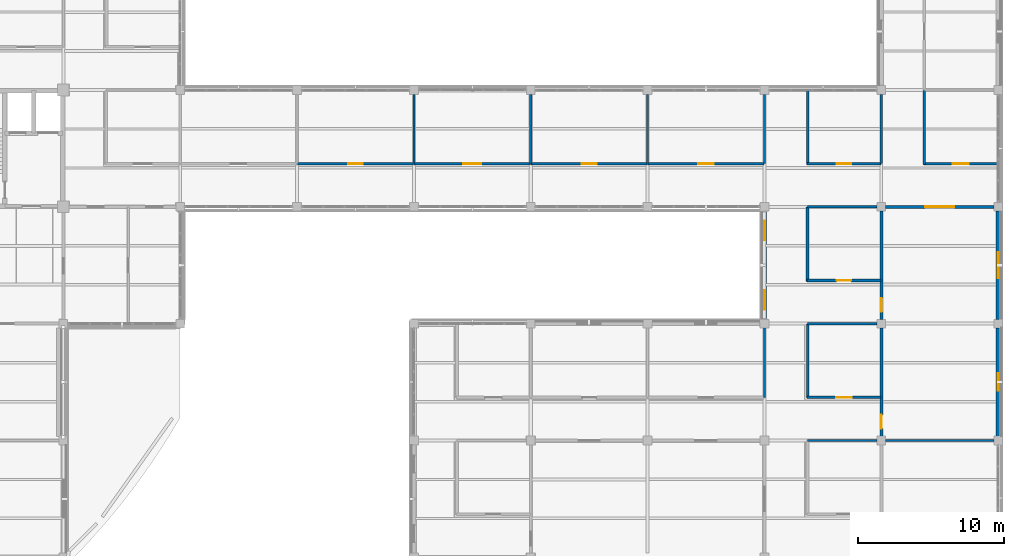
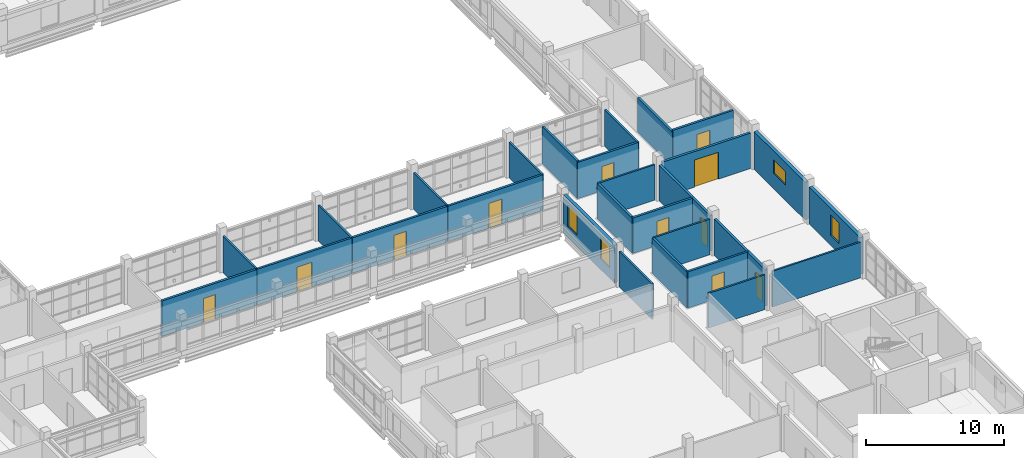
# One storey, part 101 of 126: 28 walls, 11 doors, 4 windows, 15 openings.
"""IFC4 building model written with IfcOpenShell, lengths in metres."""

from ifc_helpers import new_model, si_unit, derived_unit, direction, frame, frame_2d, origin, place, context, subcontext, project, spatial, rectangle, extrude, material, layer, layer_set, type_object, element, fill, save


model = new_model("IFC4")

# Units and contexts
model_context = context("Model", 3, precision=1e-05, world=origin(), true_north=direction((0.0, 1.0)))
body_context = subcontext(model_context, "Body", "Model", "MODEL_VIEW")
ifc_project = project(units=[si_unit("LENGTHUNIT", "METRE"), si_unit("AREAUNIT", "SQUARE_METRE"), si_unit("VOLUMEUNIT", "CUBIC_METRE"), si_unit("PLANEANGLEUNIT", "RADIAN"), si_unit("MASSUNIT", "GRAM", prefix="KILO"), derived_unit("THERMALTRANSMITTANCEUNIT", [(si_unit("MASSUNIT", "GRAM", prefix="KILO"), 1), (si_unit("TIMEUNIT", "SECOND"), -3), (si_unit("THERMODYNAMICTEMPERATUREUNIT", "KELVIN"), -1)])], contexts=[model_context])

# Site, building, storey
site_placement = place(None, origin())
site = spatial("IfcSite", under=ifc_project, at=site_placement, CompositionType="ELEMENT")
building_placement = place(site_placement, origin())
building = spatial("IfcBuilding", under=site, at=building_placement, Name="Veyamyaing Civic Hall", CompositionType="ELEMENT")
storey_placement = place(building_placement, frame((0.0, 0.0, 9.89990234375)))
storey = spatial("IfcBuildingStorey", under=building, at=storey_placement, Name="L02", CompositionType="ELEMENT", Elevation=9.89990234375)

# Wall, openings, windows
ifc_material_1 = material(Name="Precast concrete C40/50", Category="concrete")
ifc_layer_1 = layer(ifc_material_1, 0.280029296875, Name="Precast concrete C40/50")
ifc_layer_set_1 = layer_set([ifc_layer_1], Name="Precast concrete C40/50")
wall_type_1 = type_object("IfcWallType", Name="WT-04", PredefinedType="SOLIDWALL", material=ifc_layer_set_1)
wall_1_placement = place(storey_placement, frame((160.0, 40.284912109375, 0.0), z_axis=(0.0, 0.0, 1.0), x_axis=(0.0, 1.0, 0.0)))
wall_1 = element("IfcWall", 1, at=wall_1_placement, inside=storey, type_object=wall_type_1, Name="Exterior facade wall WT-04 L02 W 21.6", PredefinedType="SOLIDWALL", context=body_context, shape_type="SweptSolid", body=[
    extrude(rectangle(XDim=7.43017578125, YDim=0.280029296875, at=frame_2d((3.715087890625, 0.0))), origin(), (0.0, 0.0, 1.0), 3.34716796875),
])
opening_1_placement = place(wall_1_placement, frame((0.662353515625, 0.0, 0.949951171875)))
opening_1 = element("IfcOpeningElement", 2, at=opening_1_placement, cuts=wall_1, Name="Opening W-13", PredefinedType="OPENING", context=body_context, shape_type="SweptSolid", body=[
    extrude(rectangle(XDim=1.35009765625, YDim=1.89990234375, at=frame_2d((0.675048828125, 0.949951171875))), frame((0.0, 0.14990234375, 0.0), z_axis=(0.0, -1.0, 0.0), x_axis=(1.0, 0.0, 0.0)), (0.0, 0.0, 1.0), 0.300048828125),
])
opening_2_placement = place(wall_1_placement, frame((5.41748046875, 0.0, 0.949951171875)))
opening_2 = element("IfcOpeningElement", 3, at=opening_2_placement, cuts=wall_1, Name="Opening W-13", PredefinedType="OPENING", context=body_context, shape_type="SweptSolid", body=[
    extrude(rectangle(XDim=1.35009765625, YDim=1.89990234375, at=frame_2d((0.675048828125, 0.949951171875))), frame((0.0, 0.14990234375, 0.0), z_axis=(0.0, -1.0, 0.0), x_axis=(1.0, 0.0, 0.0)), (0.0, 0.0, 1.0), 0.300048828125),
])
ifc_material_2 = material(Name="Low-E insulated glass", Category="glass")
window_type_1 = type_object("IfcWindowType", Name="W-13", PartitioningType="SINGLE_PANEL", PredefinedType="WINDOW", material=ifc_material_2)
window_1_placement = place(opening_1_placement, origin())
window_1 = element("IfcWindow", 4, at=window_1_placement, inside=storey, type_object=window_type_1, Name="Facade window W-13 L02 W 21.6.1", OverallHeight=1.89990234375, OverallWidth=1.35009765625, PartitioningType="SINGLE_PANEL", PredefinedType="WINDOW", context=body_context, shape_type="SweptSolid", body=[
    extrude(rectangle(XDim=1.35009765625, YDim=1.89990234375, at=frame_2d((0.675048828125, 0.949951171875))), frame((0.0, 0.030029296875, 0.0), z_axis=(0.0, -1.0, 0.0), x_axis=(1.0, 0.0, 0.0)), (0.0, 0.0, 1.0), 0.06005859375),
])
fill(opening_1, window_1)
window_2_placement = place(opening_2_placement, origin())
window_2 = element("IfcWindow", 5, at=window_2_placement, inside=storey, type_object=window_type_1, Name="Facade window W-13 L02 W 21.6.2", OverallHeight=1.89990234375, OverallWidth=1.35009765625, PartitioningType="SINGLE_PANEL", PredefinedType="WINDOW", context=body_context, shape_type="SweptSolid", body=[
    extrude(rectangle(XDim=1.35009765625, YDim=1.89990234375, at=frame_2d((0.675048828125, 0.949951171875))), frame((0.0, 0.030029296875, 0.0), z_axis=(0.0, -1.0, 0.0), x_axis=(1.0, 0.0, 0.0)), (0.0, 0.0, 1.0), 0.06005859375),
])
fill(opening_2, window_2)

# Wall, opening, window
wall_2_placement = place(storey_placement, frame((176.0, 40.284912109375, 0.0), z_axis=(0.0, 0.0, 1.0), x_axis=(0.0, 1.0, 0.0)))
wall_2 = element("IfcWall", 6, at=wall_2_placement, inside=storey, type_object=wall_type_1, Name="Exterior facade wall WT-04 L02 E 22.6", PredefinedType="SOLIDWALL", context=body_context, shape_type="SweptSolid", body=[
    extrude(rectangle(XDim=7.43017578125, YDim=0.280029296875, at=frame_2d((3.715087890625, 0.0))), origin(), (0.0, 0.0, 1.0), 3.343994140625),
])
opening_3_placement = place(wall_2_placement, frame((2.81494140625, 0.0, 1.35009765625)))
opening_3 = element("IfcOpeningElement", 7, at=opening_3_placement, cuts=wall_2, Name="Opening W-19", PredefinedType="OPENING", context=body_context, shape_type="SweptSolid", body=[
    extrude(rectangle(XDim=1.800048828125, YDim=1.199951171875, at=frame_2d((0.89990234375, 0.60009765625))), frame((0.0, 0.14990234375, 0.0), z_axis=(0.0, -1.0, 0.0), x_axis=(1.0, 0.0, 0.0)), (0.0, 0.0, 1.0), 0.300048828125),
])
window_type_2 = type_object("IfcWindowType", Name="W-19", PartitioningType="SINGLE_PANEL", PredefinedType="WINDOW", material=ifc_material_2)
window_3_placement = place(opening_3_placement, origin())
window_3 = element("IfcWindow", 8, at=window_3_placement, inside=storey, type_object=window_type_2, Name="Facade window W-19 L02 E 22.6", OverallHeight=1.199951171875, OverallWidth=1.800048828125, PartitioningType="SINGLE_PANEL", PredefinedType="WINDOW", context=body_context, shape_type="SweptSolid", body=[
    extrude(rectangle(XDim=1.800048828125, YDim=1.199951171875, at=frame_2d((0.89990234375, 0.60009765625))), frame((0.0, 0.030029296875, 0.0), z_axis=(0.0, -1.0, 0.0), x_axis=(1.0, 0.0, 0.0)), (0.0, 0.0, 1.0), 0.06005859375),
])
fill(opening_3, window_3)

# Wall, opening, door
ifc_material_3 = material(Name="Concrete C40/50", Category="concrete")
ifc_layer_2 = layer(ifc_material_3, 0.199951171875, Name="Concrete C40/50")
ifc_layer_set_2 = layer_set([ifc_layer_2], Name="Concrete C40/50")
wall_type_2 = type_object("IfcWallType", Name="WT-06", PredefinedType="PARTITIONING", material=ifc_layer_set_2)
wall_3_placement = place(storey_placement, frame((168.0, 32.2900390625, 0.0), z_axis=(0.0, 0.0, 1.0), x_axis=(0.0, 1.0, 0.0)))
wall_3 = element("IfcWall", 9, at=wall_3_placement, inside=storey, type_object=wall_type_2, Name="Interior partition wall WT-06 L02.62", PredefinedType="PARTITIONING", context=body_context, shape_type="SweptSolid", body=[
    extrude(rectangle(XDim=7.419921875, YDim=0.199951171875, at=frame_2d((3.7099609375, 0.0))), origin(), (0.0, 0.0, 1.0), 3.22705078125),
])
opening_4_placement = place(wall_3_placement, frame((0.52001953125, 0.0, 0.0)))
opening_4 = element("IfcOpeningElement", 10, at=opening_4_placement, cuts=wall_3, Name="Opening D-30", PredefinedType="OPENING", context=body_context, shape_type="SweptSolid", body=[
    extrude(rectangle(XDim=0.93994140625, YDim=2.1201171875, at=frame_2d((0.469970703125, 1.06005859375))), frame((0.0, 0.10986328125, 0.0), z_axis=(0.0, -1.0, 0.0), x_axis=(1.0, 0.0, 0.0)), (0.0, 0.0, 1.0), 0.219970703125),
])
ifc_material_4 = material(Name="Teak-veneered acoustic timber", Category="wood")
door_type_1 = type_object("IfcDoorType", Name="D-30", OperationType="NOTDEFINED", PredefinedType="DOOR", material=ifc_material_4)
door_1_placement = place(opening_4_placement, frame((0.93994140625, 0.0, 0.0), z_axis=(0.0, 0.0, 1.0), x_axis=(-1.0, 0.0, 0.0)))
door_1 = element("IfcDoor", 11, at=door_1_placement, inside=storey, type_object=door_type_1, Name="Interior door D-30 L02.62", OperationType="SINGLE_SWING_LEFT", OverallHeight=2.1201171875, OverallWidth=0.93994140625, PredefinedType="DOOR", context=body_context, shape_type="SweptSolid", body=[
    extrude(rectangle(XDim=0.93994140625, YDim=2.1201171875, at=frame_2d((0.469970703125, 1.06005859375))), frame((0.0, 0.02490234375, 0.0), z_axis=(0.0, -1.0, 0.0), x_axis=(1.0, 0.0, 0.0)), (0.0, 0.0, 1.0), 0.050048828125),
])
fill(opening_4, door_1)

wall_4_placement = place(storey_placement, frame((168.0, 40.2900390625, 0.0), z_axis=(0.0, 0.0, 1.0), x_axis=(0.0, 1.0, 0.0)))
wall_4 = element("IfcWall", 12, at=wall_4_placement, inside=storey, type_object=wall_type_2, Name="Interior partition wall WT-06 L02.63", PredefinedType="PARTITIONING", context=body_context, shape_type="SweptSolid", body=[
    extrude(rectangle(XDim=7.419921875, YDim=0.199951171875, at=frame_2d((3.7099609375, 0.0))), origin(), (0.0, 0.0, 1.0), 3.151123046875),
])
opening_5_placement = place(wall_4_placement, frame((0.52001953125, 0.0, 0.0)))
opening_5 = element("IfcOpeningElement", 13, at=opening_5_placement, cuts=wall_4, Name="Opening D-30", PredefinedType="OPENING", context=body_context, shape_type="SweptSolid", body=[
    extrude(rectangle(XDim=0.93994140625, YDim=2.1201171875, at=frame_2d((0.469970703125, 1.06005859375))), frame((0.0, 0.10986328125, 0.0), z_axis=(0.0, -1.0, 0.0), x_axis=(1.0, 0.0, 0.0)), (0.0, 0.0, 1.0), 0.219970703125),
])
door_2_placement = place(opening_5_placement, frame((0.93994140625, 0.0, 0.0), z_axis=(0.0, 0.0, 1.0), x_axis=(-1.0, 0.0, 0.0)))
door_2 = element("IfcDoor", 14, at=door_2_placement, inside=storey, type_object=door_type_1, Name="Interior door D-30 L02.63", OperationType="SINGLE_SWING_RIGHT", OverallHeight=2.1201171875, OverallWidth=0.93994140625, PredefinedType="DOOR", context=body_context, shape_type="SweptSolid", body=[
    extrude(rectangle(XDim=0.93994140625, YDim=2.1201171875, at=frame_2d((0.469970703125, 1.06005859375))), frame((0.0, 0.02490234375, 0.0), z_axis=(0.0, -1.0, 0.0), x_axis=(1.0, 0.0, 0.0)), (0.0, 0.0, 1.0), 0.050048828125),
])
fill(opening_5, door_2)

wall_5_placement = place(storey_placement, frame((168.2900390625, 48.0, 0.0), z_axis=(0.0, 0.0, 1.0), x_axis=(1.0, 0.0, 0.0)))
wall_5 = element("IfcWall", 15, at=wall_5_placement, inside=storey, type_object=wall_type_2, Name="Interior partition wall WT-06 L02.69", PredefinedType="PARTITIONING", context=body_context, shape_type="SweptSolid", body=[
    extrude(rectangle(XDim=7.419921875, YDim=0.199951171875, at=frame_2d((3.7099609375, 0.0))), origin(), (0.0, 0.0, 1.0), 3.151123046875),
])
opening_6_placement = place(wall_5_placement, frame((2.7099609375, 0.0, 0.0)))
opening_6 = element("IfcOpeningElement", 16, at=opening_6_placement, cuts=wall_5, Name="Opening D-07", PredefinedType="OPENING", context=body_context, shape_type="SweptSolid", body=[
    extrude(rectangle(XDim=2.0, YDim=2.39990234375, at=frame_2d((1.0, 1.199951171875))), frame((0.0, 0.10986328125, 0.0), z_axis=(0.0, -1.0, 0.0), x_axis=(1.0, 0.0, 0.0)), (0.0, 0.0, 1.0), 0.219970703125),
])
door_type_2 = type_object("IfcDoorType", Name="D-07", OperationType="DOUBLE_DOOR_SINGLE_SWING", PredefinedType="DOOR", material=ifc_material_4)
door_3_placement = place(opening_6_placement, frame((2.0, 0.0, 0.0), z_axis=(0.0, 0.0, 1.0), x_axis=(-1.0, 0.0, 0.0)))
door_3 = element("IfcDoor", 17, at=door_3_placement, inside=storey, type_object=door_type_2, Name="Interior door D-07 L02.69", OperationType="DOUBLE_DOOR_SINGLE_SWING", OverallHeight=2.39990234375, OverallWidth=2.0, PredefinedType="DOOR", context=body_context, shape_type="SweptSolid", body=[
    extrude(rectangle(XDim=2.0, YDim=2.39990234375, at=frame_2d((1.0, 1.199951171875))), frame((0.0, 0.02490234375, 0.0), z_axis=(0.0, -1.0, 0.0), x_axis=(1.0, 0.0, 0.0)), (0.0, 0.0, 1.0), 0.050048828125),
])
fill(opening_6, door_3)

ifc_material_5 = material(Name="Gypsum board on acoustic steel stud", Category="steel")
ifc_layer_3 = layer(ifc_material_5, 0.175048828125, Name="Gypsum board on acoustic steel stud")
ifc_layer_set_3 = layer_set([ifc_layer_3], Name="Gypsum board on acoustic steel stud")
wall_type_3 = type_object("IfcWallType", Name="WT-07", PredefinedType="PARTITIONING", material=ifc_layer_set_3)
wall_6_placement = place(storey_placement, frame((136.02001953125, 50.949951171875, 0.0), z_axis=(0.0, 0.0, 1.0), x_axis=(1.0, 0.0, 0.0)))
wall_6 = element("IfcWall", 18, at=wall_6_placement, inside=storey, type_object=wall_type_3, Name="Corridor gallery partition WT-07 L02.55.1", PredefinedType="PARTITIONING", context=body_context, shape_type="SweptSolid", body=[
    extrude(rectangle(XDim=7.9599609375, YDim=0.175048828125, at=frame_2d((3.97998046875, 0.0))), origin(), (0.0, 0.0, 1.0), 3.156982421875),
])
opening_7_placement = place(wall_6_placement, frame((3.35498046875, 0.0, 0.0)))
opening_7 = element("IfcOpeningElement", 19, at=opening_7_placement, cuts=wall_6, Name="Opening D-29", PredefinedType="OPENING", context=body_context, shape_type="SweptSolid", body=[
    extrude(rectangle(XDim=1.25, YDim=2.179931640625, at=frame_2d((0.625, 1.08984375))), frame((0.0, 0.097412109375, 0.0), z_axis=(0.0, -1.0, 0.0), x_axis=(1.0, 0.0, 0.0)), (0.0, 0.0, 1.0), 0.195068359375),
])
door_type_3 = type_object("IfcDoorType", Name="D-29", OperationType="NOTDEFINED", PredefinedType="DOOR", material=ifc_material_4)
door_4_placement = place(opening_7_placement, origin())
door_4 = element("IfcDoor", 20, at=door_4_placement, inside=storey, type_object=door_type_3, Name="Gallery office door D-29 L02.55", OperationType="SINGLE_SWING_LEFT", OverallHeight=2.179931640625, OverallWidth=1.25, PredefinedType="DOOR", context=body_context, shape_type="SweptSolid", body=[
    extrude(rectangle(XDim=1.25, YDim=2.179931640625, at=frame_2d((0.625, 1.08984375))), frame((0.0, 0.02490234375, 0.0), z_axis=(0.0, -1.0, 0.0), x_axis=(1.0, 0.0, 0.0)), (0.0, 0.0, 1.0), 0.050048828125),
])
fill(opening_7, door_4)

wall_7_placement = place(storey_placement, frame((144.02001953125, 50.949951171875, 0.0), z_axis=(0.0, 0.0, 1.0), x_axis=(1.0, 0.0, 0.0)))
wall_7 = element("IfcWall", 21, at=wall_7_placement, inside=storey, type_object=wall_type_3, Name="Corridor gallery partition WT-07 L02.57.1", PredefinedType="PARTITIONING", context=body_context, shape_type="SweptSolid", body=[
    extrude(rectangle(XDim=7.9599609375, YDim=0.175048828125, at=frame_2d((3.97998046875, 0.0))), origin(), (0.0, 0.0, 1.0), 3.156982421875),
])
opening_8_placement = place(wall_7_placement, frame((3.455078125, 0.0, 0.0)))
opening_8 = element("IfcOpeningElement", 22, at=opening_8_placement, cuts=wall_7, Name="Opening D-12", PredefinedType="OPENING", context=body_context, shape_type="SweptSolid", body=[
    extrude(rectangle(XDim=1.050048828125, YDim=2.14990234375, at=frame_2d((0.52490234375, 1.074951171875))), frame((0.0, 0.097412109375, 0.0), z_axis=(0.0, -1.0, 0.0), x_axis=(1.0, 0.0, 0.0)), (0.0, 0.0, 1.0), 0.195068359375),
])
door_type_4 = type_object("IfcDoorType", Name="D-12", OperationType="NOTDEFINED", PredefinedType="DOOR", material=ifc_material_4)
door_5_placement = place(opening_8_placement, origin())
door_5 = element("IfcDoor", 23, at=door_5_placement, inside=storey, type_object=door_type_4, Name="Gallery office door D-12 L02.57", OperationType="SINGLE_SWING_LEFT", OverallHeight=2.14990234375, OverallWidth=1.050048828125, PredefinedType="DOOR", context=body_context, shape_type="SweptSolid", body=[
    extrude(rectangle(XDim=1.050048828125, YDim=2.14990234375, at=frame_2d((0.52490234375, 1.074951171875))), frame((0.0, 0.02490234375, 0.0), z_axis=(0.0, -1.0, 0.0), x_axis=(1.0, 0.0, 0.0)), (0.0, 0.0, 1.0), 0.050048828125),
])
fill(opening_8, door_5)

wall_8_placement = place(storey_placement, frame((152.02001953125, 50.949951171875, 0.0), z_axis=(0.0, 0.0, 1.0), x_axis=(1.0, 0.0, 0.0)))
wall_8 = element("IfcWall", 24, at=wall_8_placement, inside=storey, type_object=wall_type_3, Name="Corridor gallery partition WT-07 L02.61.1", PredefinedType="PARTITIONING", context=body_context, shape_type="SweptSolid", body=[
    extrude(rectangle(XDim=7.9599609375, YDim=0.175048828125, at=frame_2d((3.97998046875, 0.0))), origin(), (0.0, 0.0, 1.0), 3.151123046875),
])
opening_9_placement = place(wall_8_placement, frame((3.43994140625, 0.0, 0.0)))
opening_9 = element("IfcOpeningElement", 25, at=opening_9_placement, cuts=wall_8, Name="Opening D-23", PredefinedType="OPENING", context=body_context, shape_type="SweptSolid", body=[
    extrude(rectangle(XDim=1.080078125, YDim=2.199951171875, at=frame_2d((0.5400390625, 1.10009765625))), frame((0.0, 0.097412109375, 0.0), z_axis=(0.0, -1.0, 0.0), x_axis=(1.0, 0.0, 0.0)), (0.0, 0.0, 1.0), 0.195068359375),
])
door_type_5 = type_object("IfcDoorType", Name="D-23", OperationType="NOTDEFINED", PredefinedType="DOOR", material=ifc_material_4)
door_6_placement = place(opening_9_placement, origin())
door_6 = element("IfcDoor", 26, at=door_6_placement, inside=storey, type_object=door_type_5, Name="Gallery office door D-23 L02.61", OperationType="SINGLE_SWING_LEFT", OverallHeight=2.199951171875, OverallWidth=1.080078125, PredefinedType="DOOR", context=body_context, shape_type="SweptSolid", body=[
    extrude(rectangle(XDim=1.080078125, YDim=2.199951171875, at=frame_2d((0.5400390625, 1.10009765625))), frame((0.0, 0.02490234375, 0.0), z_axis=(0.0, -1.0, 0.0), x_axis=(1.0, 0.0, 0.0)), (0.0, 0.0, 1.0), 0.050048828125),
])
fill(opening_9, door_6)

wall_9_placement = place(storey_placement, frame((162.89990234375, 34.949951171875, 0.0), z_axis=(0.0, 0.0, 1.0), x_axis=(1.0, 0.0, 0.0)))
wall_9 = element("IfcWall", 27, at=wall_9_placement, inside=storey, type_object=wall_type_3, Name="Corridor gallery partition WT-07 L02.67.1", PredefinedType="PARTITIONING", context=body_context, shape_type="SweptSolid", body=[
    extrude(rectangle(XDim=5.080078125, YDim=0.175048828125, at=frame_2d((2.5400390625, 0.0))), origin(), (0.0, 0.0, 1.0), 3.22705078125),
])
opening_10_placement = place(wall_9_placement, frame((2.014892578125, 0.0, 0.0)))
opening_10 = element("IfcOpeningElement", 28, at=opening_10_placement, cuts=wall_9, Name="Opening D-12", PredefinedType="OPENING", context=body_context, shape_type="SweptSolid", body=[
    extrude(rectangle(XDim=1.050048828125, YDim=2.14990234375, at=frame_2d((0.52490234375, 1.074951171875))), frame((0.0, 0.097412109375, 0.0), z_axis=(0.0, -1.0, 0.0), x_axis=(1.0, 0.0, 0.0)), (0.0, 0.0, 1.0), 0.195068359375),
])
door_7_placement = place(opening_10_placement, origin())
door_7 = element("IfcDoor", 29, at=door_7_placement, inside=storey, type_object=door_type_4, Name="Gallery office door D-12 L02.67", OperationType="SINGLE_SWING_LEFT", OverallHeight=2.14990234375, OverallWidth=1.050048828125, PredefinedType="DOOR", context=body_context, shape_type="SweptSolid", body=[
    extrude(rectangle(XDim=1.050048828125, YDim=2.14990234375, at=frame_2d((0.52490234375, 1.074951171875))), frame((0.0, 0.02490234375, 0.0), z_axis=(0.0, -1.0, 0.0), x_axis=(1.0, 0.0, 0.0)), (0.0, 0.0, 1.0), 0.050048828125),
])
fill(opening_10, door_7)

# Wall
wall_10_placement = place(storey_placement, frame((162.949951171875, 34.89990234375, 0.0), z_axis=(0.0, 0.0, 1.0), x_axis=(0.0, 1.0, 0.0)))
element("IfcWall", 30, at=wall_10_placement, inside=storey, type_object=wall_type_3, Name="Corridor gallery partition WT-07 L02.67.2", PredefinedType="PARTITIONING", context=body_context, shape_type="SweptSolid", body=[
    extrude(rectangle(XDim=5.080078125, YDim=0.175048828125, at=frame_2d((2.5400390625, 0.0))), origin(), (0.0, 0.0, 1.0), 3.156982421875),
])

# Wall, opening, door
wall_11_placement = place(storey_placement, frame((162.89990234375, 50.949951171875, 0.0), z_axis=(0.0, 0.0, 1.0), x_axis=(1.0, 0.0, 0.0)))
wall_11 = element("IfcWall", 31, at=wall_11_placement, inside=storey, type_object=wall_type_3, Name="Corridor gallery partition WT-07 L02.69.1", PredefinedType="PARTITIONING", context=body_context, shape_type="SweptSolid", body=[
    extrude(rectangle(XDim=5.080078125, YDim=0.175048828125, at=frame_2d((2.5400390625, 0.0))), origin(), (0.0, 0.0, 1.0), 3.22119140625),
])
opening_11_placement = place(wall_11_placement, frame((2.050048828125, 0.0, 0.0)))
opening_11 = element("IfcOpeningElement", 32, at=opening_11_placement, cuts=wall_11, Name="Opening D-14", PredefinedType="OPENING", context=body_context, shape_type="SweptSolid", body=[
    extrude(rectangle(XDim=0.97998046875, YDim=2.14990234375, at=frame_2d((0.489990234375, 1.074951171875))), frame((0.0, 0.097412109375, 0.0), z_axis=(0.0, -1.0, 0.0), x_axis=(1.0, 0.0, 0.0)), (0.0, 0.0, 1.0), 0.195068359375),
])
door_type_6 = type_object("IfcDoorType", Name="D-14", OperationType="NOTDEFINED", PredefinedType="DOOR", material=ifc_material_4)
door_8_placement = place(opening_11_placement, origin())
door_8 = element("IfcDoor", 33, at=door_8_placement, inside=storey, type_object=door_type_6, Name="Gallery office door D-14 L02.69", OperationType="SINGLE_SWING_LEFT", OverallHeight=2.14990234375, OverallWidth=0.97998046875, PredefinedType="DOOR", context=body_context, shape_type="SweptSolid", body=[
    extrude(rectangle(XDim=0.97998046875, YDim=2.14990234375, at=frame_2d((0.489990234375, 1.074951171875))), frame((0.0, 0.02490234375, 0.0), z_axis=(0.0, -1.0, 0.0), x_axis=(1.0, 0.0, 0.0)), (0.0, 0.0, 1.0), 0.050048828125),
])
fill(opening_11, door_8)

# Wall
wall_12_placement = place(storey_placement, frame((162.949951171875, 50.89990234375, 0.0), z_axis=(0.0, 0.0, 1.0), x_axis=(0.0, 1.0, 0.0)))
element("IfcWall", 34, at=wall_12_placement, inside=storey, type_object=wall_type_3, Name="Corridor gallery partition WT-07 L02.69.2", PredefinedType="PARTITIONING", context=body_context, shape_type="SweptSolid", body=[
    extrude(rectangle(XDim=5.080078125, YDim=0.175048828125, at=frame_2d((2.5400390625, 0.0))), origin(), (0.0, 0.0, 1.0), 3.337158203125),
])

# Wall, opening, door
wall_13_placement = place(storey_placement, frame((170.89990234375, 50.949951171875, 0.0), z_axis=(0.0, 0.0, 1.0), x_axis=(1.0, 0.0, 0.0)))
wall_13 = element("IfcWall", 35, at=wall_13_placement, inside=storey, type_object=wall_type_3, Name="Corridor gallery partition WT-07 L02.71.1", PredefinedType="PARTITIONING", context=body_context, shape_type="SweptSolid", body=[
    extrude(rectangle(XDim=5.080078125, YDim=0.175048828125, at=frame_2d((2.5400390625, 0.0))), origin(), (0.0, 0.0, 1.0), 3.277099609375),
])
opening_12_placement = place(wall_13_placement, frame((2.0, 0.0, 0.0)))
opening_12 = element("IfcOpeningElement", 36, at=opening_12_placement, cuts=wall_13, Name="Opening D-23", PredefinedType="OPENING", context=body_context, shape_type="SweptSolid", body=[
    extrude(rectangle(XDim=1.080078125, YDim=2.199951171875, at=frame_2d((0.5400390625, 1.10009765625))), frame((0.0, 0.097412109375, 0.0), z_axis=(0.0, -1.0, 0.0), x_axis=(1.0, 0.0, 0.0)), (0.0, 0.0, 1.0), 0.195068359375),
])
door_9_placement = place(opening_12_placement, origin())
door_9 = element("IfcDoor", 37, at=door_9_placement, inside=storey, type_object=door_type_5, Name="Gallery office door D-23 L02.71", OperationType="SINGLE_SWING_LEFT", OverallHeight=2.199951171875, OverallWidth=1.080078125, PredefinedType="DOOR", context=body_context, shape_type="SweptSolid", body=[
    extrude(rectangle(XDim=1.080078125, YDim=2.199951171875, at=frame_2d((0.5400390625, 1.10009765625))), frame((0.0, 0.02490234375, 0.0), z_axis=(0.0, -1.0, 0.0), x_axis=(1.0, 0.0, 0.0)), (0.0, 0.0, 1.0), 0.050048828125),
])
fill(opening_12, door_9)

# Walls
wall_14_placement = place(storey_placement, frame((170.949951171875, 50.89990234375, 0.0), z_axis=(0.0, 0.0, 1.0), x_axis=(0.0, 1.0, 0.0)))
element("IfcWall", 38, at=wall_14_placement, inside=storey, type_object=wall_type_3, Name="Corridor gallery partition WT-07 L02.71.2", PredefinedType="PARTITIONING", context=body_context, shape_type="SweptSolid", body=[
    extrude(rectangle(XDim=5.080078125, YDim=0.175048828125, at=frame_2d((2.5400390625, 0.0))), origin(), (0.0, 0.0, 1.0), 3.08203125),
])
ifc_material_6 = material(Name="Gypsum board on steel stud", Category="steel")
ifc_layer_4 = layer(ifc_material_6, 0.14990234375, Name="Gypsum board on steel stud")
ifc_layer_set_4 = layer_set([ifc_layer_4], Name="Gypsum board on steel stud")
wall_type_4 = type_object("IfcWallType", Name="WT-08", PredefinedType="PARTITIONING", material=ifc_layer_set_4)
wall_15_placement = place(storey_placement, frame((136.0, 50.949951171875, 0.0), z_axis=(0.0, 0.0, 1.0), x_axis=(0.0, 1.0, 0.0)))
element("IfcWall", 39, at=wall_15_placement, inside=storey, type_object=wall_type_4, Name="Gallery office end partition WT-08 L02.48.2", PredefinedType="PARTITIONING", context=body_context, shape_type="SweptSolid", body=[
    extrude(rectangle(XDim=4.739990234375, YDim=0.14990234375, at=frame_2d((2.3701171875, 0.0))), origin(), (0.0, 0.0, 1.0), 3.22119140625),
])
wall_16_placement = place(storey_placement, frame((144.0, 50.949951171875, 0.0), z_axis=(0.0, 0.0, 1.0), x_axis=(0.0, 1.0, 0.0)))
element("IfcWall", 40, at=wall_16_placement, inside=storey, type_object=wall_type_4, Name="Gallery office end partition WT-08 L02.55.2", PredefinedType="PARTITIONING", context=body_context, shape_type="SweptSolid", body=[
    extrude(rectangle(XDim=4.739990234375, YDim=0.14990234375, at=frame_2d((2.3701171875, 0.0))), origin(), (0.0, 0.0, 1.0), 3.156982421875),
])
wall_17_placement = place(storey_placement, frame((152.0, 50.949951171875, 0.0), z_axis=(0.0, 0.0, 1.0), x_axis=(0.0, 1.0, 0.0)))
element("IfcWall", 41, at=wall_17_placement, inside=storey, type_object=wall_type_4, Name="Gallery office end partition WT-08 L02.57.2", PredefinedType="PARTITIONING", context=body_context, shape_type="SweptSolid", body=[
    extrude(rectangle(XDim=4.739990234375, YDim=0.14990234375, at=frame_2d((2.3701171875, 0.0))), origin(), (0.0, 0.0, 1.0), 3.22705078125),
])
wall_18_placement = place(storey_placement, frame((160.0, 34.949951171875, 0.0), z_axis=(0.0, 0.0, 1.0), x_axis=(0.0, 1.0, 0.0)))
element("IfcWall", 42, at=wall_18_placement, inside=storey, type_object=wall_type_4, Name="Gallery office end partition WT-08 L02.60.2", PredefinedType="PARTITIONING", context=body_context, shape_type="SweptSolid", body=[
    extrude(rectangle(XDim=4.739990234375, YDim=0.14990234375, at=frame_2d((2.3701171875, 0.0))), origin(), (0.0, 0.0, 1.0), 3.156982421875),
])
wall_19_placement = place(storey_placement, frame((160.0, 50.949951171875, 0.0), z_axis=(0.0, 0.0, 1.0), x_axis=(0.0, 1.0, 0.0)))
element("IfcWall", 43, at=wall_19_placement, inside=storey, type_object=wall_type_4, Name="Gallery office end partition WT-08 L02.61.2", PredefinedType="PARTITIONING", context=body_context, shape_type="SweptSolid", body=[
    extrude(rectangle(XDim=4.739990234375, YDim=0.14990234375, at=frame_2d((2.3701171875, 0.0))), origin(), (0.0, 0.0, 1.0), 3.151123046875),
])
wall_20_placement = place(storey_placement, frame((162.949951171875, 32.0, 0.0), z_axis=(0.0, 0.0, 1.0), x_axis=(1.0, 0.0, 0.0)))
element("IfcWall", 44, at=wall_20_placement, inside=storey, type_object=wall_type_4, Name="Gallery office end partition WT-08 L02.66.1", PredefinedType="PARTITIONING", context=body_context, shape_type="SweptSolid", body=[
    extrude(rectangle(XDim=4.739990234375, YDim=0.14990234375, at=frame_2d((2.3701171875, 0.0))), origin(), (0.0, 0.0, 1.0), 3.08203125),
])
wall_21_placement = place(storey_placement, frame((162.949951171875, 40.0, 0.0), z_axis=(0.0, 0.0, 1.0), x_axis=(1.0, 0.0, 0.0)))
element("IfcWall", 45, at=wall_21_placement, inside=storey, type_object=wall_type_4, Name="Gallery office end partition WT-08 L02.67.1", PredefinedType="PARTITIONING", context=body_context, shape_type="SweptSolid", body=[
    extrude(rectangle(XDim=4.739990234375, YDim=0.14990234375, at=frame_2d((2.3701171875, 0.0))), origin(), (0.0, 0.0, 1.0), 3.156982421875),
])
wall_22_placement = place(storey_placement, frame((162.949951171875, 48.0, 0.0), z_axis=(0.0, 0.0, 1.0), x_axis=(1.0, 0.0, 0.0)))
element("IfcWall", 46, at=wall_22_placement, inside=storey, type_object=wall_type_4, Name="Gallery office end partition WT-08 L02.68.1", PredefinedType="PARTITIONING", context=body_context, shape_type="SweptSolid", body=[
    extrude(rectangle(XDim=4.739990234375, YDim=0.14990234375, at=frame_2d((2.3701171875, 0.0))), origin(), (0.0, 0.0, 1.0), 3.14111328125),
])
wall_23_placement = place(storey_placement, frame((168.0, 50.949951171875, 0.0), z_axis=(0.0, 0.0, 1.0), x_axis=(0.0, 1.0, 0.0)))
element("IfcWall", 47, at=wall_23_placement, inside=storey, type_object=wall_type_4, Name="Gallery office end partition WT-08 L02.69.2", PredefinedType="PARTITIONING", context=body_context, shape_type="SweptSolid", body=[
    extrude(rectangle(XDim=4.739990234375, YDim=0.14990234375, at=frame_2d((2.3701171875, 0.0))), origin(), (0.0, 0.0, 1.0), 3.22119140625),
])

# Wall, opening, window
ifc_layer_5 = layer(ifc_material_1, 0.27001953125, Name="Precast concrete C40/50")
ifc_layer_set_5 = layer_set([ifc_layer_5], Name="Precast concrete C40/50")
wall_type_5 = type_object("IfcWallType", Name="WT-18", PredefinedType="SOLIDWALL", material=ifc_layer_set_5)
wall_24_placement = place(storey_placement, frame((176.0, 32.284912109375, 0.0), z_axis=(0.0, 0.0, 1.0), x_axis=(0.0, 1.0, 0.0)))
wall_24 = element("IfcWall", 48, at=wall_24_placement, inside=storey, type_object=wall_type_5, Name="Exterior facade wall WT-18 L02 E 22.5", PredefinedType="SOLIDWALL", context=body_context, shape_type="SweptSolid", body=[
    extrude(rectangle(XDim=7.43017578125, YDim=0.27001953125, at=frame_2d((3.715087890625, 0.0))), origin(), (0.0, 0.0, 1.0), 3.280029296875),
])
opening_13_placement = place(wall_24_placement, frame((3.114990234375, 0.0, 0.89990234375)))
opening_13 = element("IfcOpeningElement", 49, at=opening_13_placement, cuts=wall_24, Name="Opening W-14", PredefinedType="OPENING", context=body_context, shape_type="SweptSolid", body=[
    extrude(rectangle(XDim=1.199951171875, YDim=1.800048828125, at=frame_2d((0.60009765625, 0.89990234375))), frame((0.0, 0.14501953125, 0.0), z_axis=(0.0, -1.0, 0.0), x_axis=(1.0, 0.0, 0.0)), (0.0, 0.0, 1.0), 0.2900390625),
])
window_type_3 = type_object("IfcWindowType", Name="W-14", PartitioningType="SINGLE_PANEL", PredefinedType="WINDOW", material=ifc_material_2)
window_4_placement = place(opening_13_placement, origin())
window_4 = element("IfcWindow", 50, at=window_4_placement, inside=storey, type_object=window_type_3, Name="Facade window W-14 L02 E 22.5", OverallHeight=1.800048828125, OverallWidth=1.199951171875, PartitioningType="SINGLE_PANEL", PredefinedType="WINDOW", context=body_context, shape_type="SweptSolid", body=[
    extrude(rectangle(XDim=1.199951171875, YDim=1.800048828125, at=frame_2d((0.60009765625, 0.89990234375))), frame((0.0, 0.030029296875, 0.0), z_axis=(0.0, -1.0, 0.0), x_axis=(1.0, 0.0, 0.0)), (0.0, 0.0, 1.0), 0.06005859375),
])
fill(opening_13, window_4)

# Wall, opening, door
ifc_material_7 = material(Name="Gypsum board on double acoustic stud")
ifc_layer_6 = layer(ifc_material_7, 0.18505859375, Name="Gypsum board on double acoustic stud")
ifc_layer_set_6 = layer_set([ifc_layer_6], Name="Gypsum board on double acoustic stud")
wall_type_6 = type_object("IfcWallType", Name="WT-19", PredefinedType="PARTITIONING", material=ifc_layer_set_6)
wall_25_placement = place(storey_placement, frame((128.02001953125, 50.949951171875, 0.0), z_axis=(0.0, 0.0, 1.0), x_axis=(1.0, 0.0, 0.0)))
wall_25 = element("IfcWall", 51, at=wall_25_placement, inside=storey, type_object=wall_type_6, Name="Corridor gallery partition WT-19 L02.48.1", PredefinedType="PARTITIONING", context=body_context, shape_type="SweptSolid", body=[
    extrude(rectangle(XDim=7.9599609375, YDim=0.18505859375, at=frame_2d((3.97998046875, 0.0))), origin(), (0.0, 0.0, 1.0), 3.151123046875),
])
opening_14_placement = place(wall_25_placement, frame((3.47998046875, 0.0, 0.0)))
opening_14 = element("IfcOpeningElement", 52, at=opening_14_placement, cuts=wall_25, Name="Opening D-13", PredefinedType="OPENING", context=body_context, shape_type="SweptSolid", body=[
    extrude(rectangle(XDim=1.0, YDim=2.14990234375, at=frame_2d((0.5, 1.074951171875))), frame((0.0, 0.1025390625, 0.0), z_axis=(0.0, -1.0, 0.0), x_axis=(1.0, 0.0, 0.0)), (0.0, 0.0, 1.0), 0.205078125),
])
door_type_7 = type_object("IfcDoorType", Name="D-13", OperationType="NOTDEFINED", PredefinedType="DOOR", material=ifc_material_4)
door_10_placement = place(opening_14_placement, origin())
door_10 = element("IfcDoor", 53, at=door_10_placement, inside=storey, type_object=door_type_7, Name="Gallery office door D-13 L02.48", OperationType="SINGLE_SWING_RIGHT", OverallHeight=2.14990234375, OverallWidth=1.0, PredefinedType="DOOR", context=body_context, shape_type="SweptSolid", body=[
    extrude(rectangle(XDim=1.0, YDim=2.14990234375, at=frame_2d((0.5, 1.074951171875))), frame((0.0, 0.02490234375, 0.0), z_axis=(0.0, -1.0, 0.0), x_axis=(1.0, 0.0, 0.0)), (0.0, 0.0, 1.0), 0.050048828125),
])
fill(opening_14, door_10)

wall_26_placement = place(storey_placement, frame((162.89990234375, 42.949951171875, 0.0), z_axis=(0.0, 0.0, 1.0), x_axis=(1.0, 0.0, 0.0)))
wall_26 = element("IfcWall", 54, at=wall_26_placement, inside=storey, type_object=wall_type_6, Name="Corridor gallery partition WT-19 L02.68.1", PredefinedType="PARTITIONING", context=body_context, shape_type="SweptSolid", body=[
    extrude(rectangle(XDim=5.080078125, YDim=0.18505859375, at=frame_2d((2.5400390625, 0.0))), origin(), (0.0, 0.0, 1.0), 3.151123046875),
])
opening_15_placement = place(wall_26_placement, frame((2.0400390625, 0.0, 0.0)))
opening_15 = element("IfcOpeningElement", 55, at=opening_15_placement, cuts=wall_26, Name="Opening D-13", PredefinedType="OPENING", context=body_context, shape_type="SweptSolid", body=[
    extrude(rectangle(XDim=1.0, YDim=2.14990234375, at=frame_2d((0.5, 1.074951171875))), frame((0.0, 0.1025390625, 0.0), z_axis=(0.0, -1.0, 0.0), x_axis=(1.0, 0.0, 0.0)), (0.0, 0.0, 1.0), 0.205078125),
])
door_11_placement = place(opening_15_placement, origin())
door_11 = element("IfcDoor", 56, at=door_11_placement, inside=storey, type_object=door_type_7, Name="Gallery office door D-13 L02.68", OperationType="SINGLE_SWING_RIGHT", OverallHeight=2.14990234375, OverallWidth=1.0, PredefinedType="DOOR", context=body_context, shape_type="SweptSolid", body=[
    extrude(rectangle(XDim=1.0, YDim=2.14990234375, at=frame_2d((0.5, 1.074951171875))), frame((0.0, 0.02490234375, 0.0), z_axis=(0.0, -1.0, 0.0), x_axis=(1.0, 0.0, 0.0)), (0.0, 0.0, 1.0), 0.050048828125),
])
fill(opening_15, door_11)

# Walls
wall_27_placement = place(storey_placement, frame((162.949951171875, 42.89990234375, 0.0), z_axis=(0.0, 0.0, 1.0), x_axis=(0.0, 1.0, 0.0)))
element("IfcWall", 57, at=wall_27_placement, inside=storey, type_object=wall_type_6, Name="Corridor gallery partition WT-19 L02.68.2", PredefinedType="PARTITIONING", context=body_context, shape_type="SweptSolid", body=[
    extrude(rectangle(XDim=5.080078125, YDim=0.18505859375, at=frame_2d((2.5400390625, 0.0))), origin(), (0.0, 0.0, 1.0), 3.14111328125),
])
ifc_layer_7 = layer(ifc_material_6, 0.14208984375, Name="Gypsum board on steel stud")
ifc_layer_set_7 = layer_set([ifc_layer_7], Name="Gypsum board on steel stud")
wall_type_7 = type_object("IfcWallType", Name="WT-20", PredefinedType="PARTITIONING", material=ifc_layer_set_7)
wall_28_placement = place(storey_placement, frame((168.2900390625, 32.0, 0.0), z_axis=(0.0, 0.0, 1.0), x_axis=(1.0, 0.0, 0.0)))
element("IfcWall", 58, at=wall_28_placement, inside=storey, type_object=wall_type_7, Name="Interior partition wall WT-20 L02.68", PredefinedType="PARTITIONING", context=body_context, shape_type="SweptSolid", body=[
    extrude(rectangle(XDim=7.419921875, YDim=0.14208984375, at=frame_2d((3.7099609375, 0.0))), origin(), (0.0, 0.0, 1.0), 3.156982421875),
])

save(model, "model.ifc")
